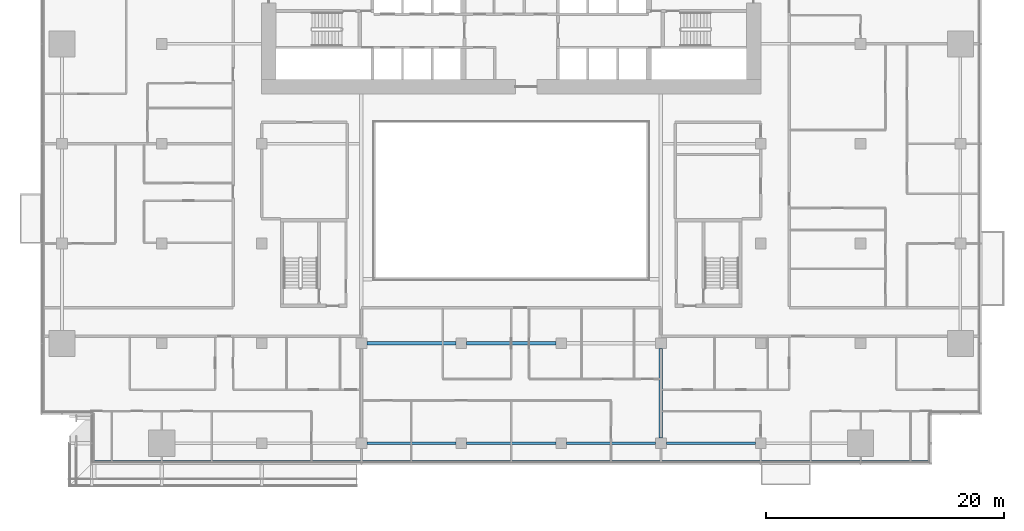
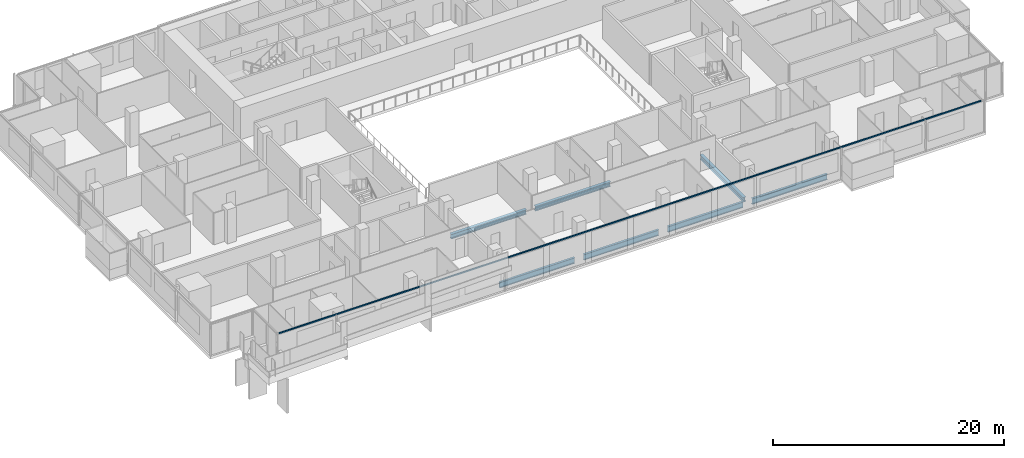
# One storey, part 5 of 29: 7 beams, 1 member, 1 element without a shape of its own.
"""IFC4 building model written with IfcOpenShell, lengths in metres."""

from ifc_helpers import new_model, si_unit, direction, frame, origin, origin_2d, place, context, subcontext, project, spatial, rectangle, i_section, extrude, material, material_profile, profile_set, type_object, element, aggregate, save


model = new_model("IFC4")

# Units and contexts
model_context = context("Model", 3, precision=1e-05, world=origin(), true_north=direction((0.0, 1.0)))
body_context = subcontext(model_context, "Body", "Model", "MODEL_VIEW")
ifc_project = project(units=[si_unit("LENGTHUNIT", "METRE"), si_unit("AREAUNIT", "SQUARE_METRE"), si_unit("VOLUMEUNIT", "CUBIC_METRE"), si_unit("PLANEANGLEUNIT", "RADIAN"), si_unit("MASSUNIT", "GRAM", prefix="KILO")], contexts=[model_context])

# Site, building, storey
site_placement = place(None, origin())
site = spatial("IfcSite", under=ifc_project, at=site_placement, CompositionType="ELEMENT")
building_placement = place(site_placement, origin())
building = spatial("IfcBuilding", under=site, at=building_placement, Name="Saffron Gate Tower", CompositionType="ELEMENT")
storey_placement = place(building_placement, frame((0.0, 0.0, 58.800048828125)))
storey = spatial("IfcBuildingStorey", under=building, at=storey_placement, Name="L13", CompositionType="ELEMENT", Elevation=58.800048828125)

# Beams
ifc_material_1 = material(Name="Structural steel S355", Category="steel")
ifc_material_profile_1 = material_profile(ifc_material_1, i_section(OverallWidth=0.219970703125, OverallDepth=0.60009765625, WebThickness=0.011962890625, FlangeThickness=0.01904296875, FilletRadius=0.02392578125, at=origin_2d()))
ifc_profile_set_1 = profile_set([ifc_material_profile_1], Name="Structural steel S355")
beam_type_1 = type_object("IfcBeamType", Name="B16 IPE 600", PredefinedType="SPANDREL", material=ifc_profile_set_1)
for number, where, z_axis, x_axis, name in (
    (1, (75.449951171875, 31.800048828125, -0.580078125), (1.0, 0.0, 0.0), (0.0, 1.0, 0.0), "B16 SPANDREL BEAM"),
    (2, (83.85009765625, 31.800048828125, -0.580078125), (1.0, 0.0, 0.0), (0.0, 1.0, 0.0), "B16 SPANDREL BEAM"),
    (3, (92.25, 31.800048828125, -0.580078125), (1.0, 0.0, 0.0), (0.0, 1.0, 0.0), "B16 SPANDREL BEAM"),
    (4, (100.64990234375, 31.800048828125, -0.580078125), (1.0, 0.0, 0.0), (0.0, 1.0, 0.0), "B16 SPANDREL BEAM"),
):
    element("IfcBeam", number, at=place(storey_placement, frame(where, z_axis=z_axis, x_axis=x_axis)), inside=storey, type_object=beam_type_1, Name=name, PredefinedType="SPANDREL", context=body_context, shape_type="SweptSolid", body=[
        extrude(i_section(OverallWidth=0.219970703125, OverallDepth=0.60009765625, WebThickness=0.011962890625, FlangeThickness=0.01904296875, FilletRadius=0.02392578125, at=origin_2d()), origin(), (0.0, 0.0, 1.0), 7.5),
    ])
ifc_material_profile_2 = material_profile(ifc_material_1, i_section(OverallWidth=0.300048828125, OverallDepth=0.489990234375, WebThickness=0.011962890625, FlangeThickness=0.02294921875, FilletRadius=0.027099609375, at=origin_2d()))
ifc_profile_set_2 = profile_set([ifc_material_profile_2], Name="Structural steel S355")
beam_type_2 = type_object("IfcBeamType", Name="B8 HEA 500", PredefinedType="BEAM", material=ifc_profile_set_2)
for number, where, z_axis, x_axis, name in (
    (5, (100.199951171875, 32.25, -0.525146484375), (0.0, 1.0, 0.0), (-1.0, 0.0, 0.0), "B8 FLOOR GIRDER"),
    (6, (75.449951171875, 40.199951171875, -0.525146484375), (1.0, 0.0, 0.0), (0.0, 1.0, 0.0), "B8 FLOOR GIRDER"),
    (7, (83.85009765625, 40.199951171875, -0.525146484375), (1.0, 0.0, 0.0), (0.0, 1.0, 0.0), "B8 FLOOR GIRDER"),
):
    element("IfcBeam", number, at=place(storey_placement, frame(where, z_axis=z_axis, x_axis=x_axis)), inside=storey, type_object=beam_type_2, Name=name, PredefinedType="BEAM", context=body_context, shape_type="SweptSolid", body=[
        extrude(i_section(OverallWidth=0.300048828125, OverallDepth=0.489990234375, WebThickness=0.011962890625, FlangeThickness=0.02294921875, FilletRadius=0.027099609375, at=origin_2d()), origin(), (0.0, 0.0, 1.0), 7.5),
    ])

# Curtain wall, member
ifc_material_2 = material(Name="Aluminium, bronze anodised", Category="aluminium")
curtain_wall_type = type_object("IfcCurtainWallType", Name="CWS1 curtain wall front facade", PredefinedType="NOTDEFINED", material=ifc_material_2)
curtain_wall_placement = place(storey_placement, origin())
curtain_wall = element("IfcCurtainWall", 8, at=curtain_wall_placement, inside=storey, type_object=curtain_wall_type, Name="CWS1 run 1", PredefinedType="NOTDEFINED")
ifc_material_profile_3 = material_profile(ifc_material_2, rectangle(XDim=0.1201171875, YDim=0.1201171875, at=origin_2d()))
ifc_profile_set_3 = profile_set([ifc_material_profile_3], Name="Aluminium, bronze anodised")
member_type = type_object("IfcMemberType", Name="CWS1 head transom", PredefinedType="USERDEFINED", material=ifc_profile_set_3)
member_placement = place(storey_placement, frame((52.568115234375, 30.248046875, 3.260009765625), z_axis=(1.0, 0.0, 0.0), x_axis=(0.0, 1.0, 0.0)))
member = element("IfcMember", 9, at=member_placement, type_object=member_type, Name="CWS1 head transom", ObjectType="TRANSOM", PredefinedType="USERDEFINED", context=body_context, shape_type="SweptSolid", body=[
    extrude(rectangle(XDim=0.1201171875, YDim=0.1201171875, at=origin_2d()), origin(), (0.0, 0.0, 1.0), 70.06396484375),
])
aggregate(curtain_wall, [member])

save(model, "model.ifc")
